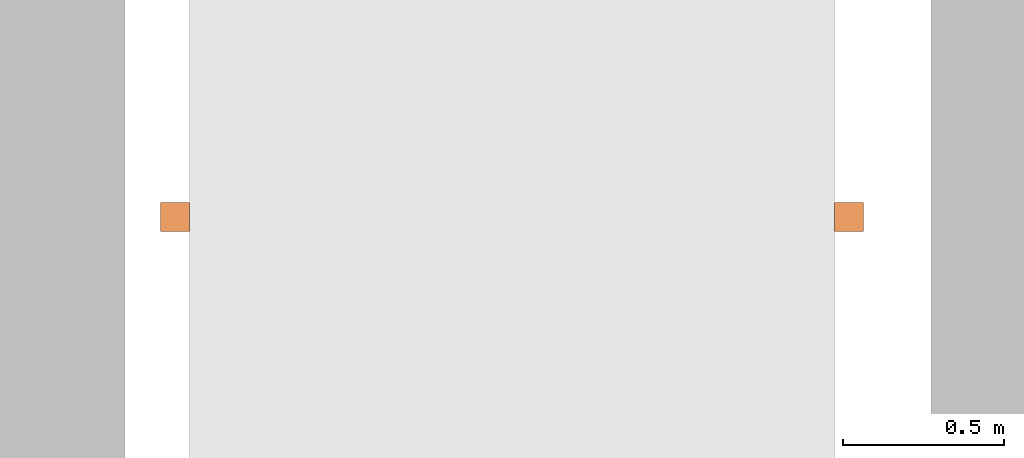
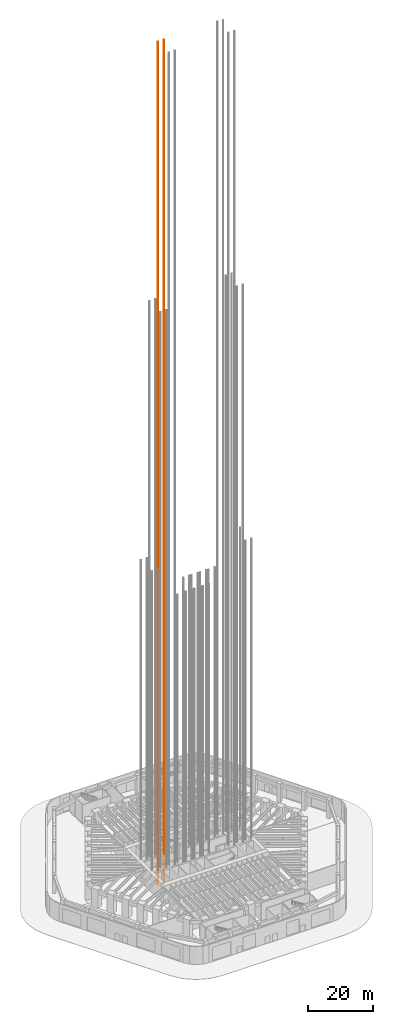
# One storey, part 20 of 23: 1 proxy.
"""IFC4 building model written with IfcOpenShell, lengths in metres."""

import ifcopenshell
import ifcopenshell.guid

model = None  # the IFC model being written
_history = None  # IfcOwnerHistory: only IFC2X3 demands one
_inside = {}  # id of a spatial element -> (the spatial element, [elements in it])
_under = {}  # id of a project, library or spatial element -> (it, [spatial elements below it])
_declared = {}  # id of a project -> (the project, [libraries it declares])
_typed = {}  # id of a type object -> (the type object, [elements of that type])
_made_of = {}  # id of a material, layer set ... -> (it, [elements and type objects made of it])


def new_model(schema):
    """Start an empty IFC model of exactly this schema.

    Asked for "IFC4X3", IfcOpenShell would pick the latest addendum, in which some entities
    have other attributes; the version numbers below select the first issue.
    IFC2X3 requires an IfcOwnerHistory on every rooted entity: one is made here for all.
    """
    global model, _history
    if schema == "IFC4X3":
        model = ifcopenshell.file(schema_version=(4, 3, 0, 0))
    else:
        model = ifcopenshell.file(schema=schema)
    _inside.clear()
    _under.clear()
    _declared.clear()
    _typed.clear()
    _made_of.clear()
    _history = None
    if model.schema == "IFC2X3":
        org = make("IfcOrganization", Name="unknown")
        user = make(
            "IfcPersonAndOrganization",
            ThePerson=make("IfcPerson", FamilyName="unknown"),
            TheOrganization=org,
        )
        app = make(
            "IfcApplication",
            ApplicationDeveloper=org,
            Version="unknown",
            ApplicationFullName="unknown",
            ApplicationIdentifier="unknown",
        )
        _history = make(
            "IfcOwnerHistory",
            OwningUser=user,
            OwningApplication=app,
            ChangeAction="ADDED",
            CreationDate=0,
        )
    return model


def make(cls, **values):
    """One entity of the class cls with the attributes given. An attribute that is None is left unset."""
    return model.create_entity(
        cls, **{name: value for name, value in values.items() if value is not None}
    )


def rooted(cls, **values):
    """An entity with a GlobalId (a new one), such as an element, a storey or a relation."""
    return make(cls, GlobalId=ifcopenshell.guid.new(), OwnerHistory=_history, **values)


def si_unit(unit_type, name, prefix=None):
    """IfcSIUnit, for example si_unit("LENGTHUNIT", "METRE", prefix="MILLI")."""
    return make("IfcSIUnit", UnitType=unit_type, Prefix=prefix, Name=name)


def assignment(units):
    """IfcUnitAssignment: the units of a project."""
    return None if units is None else make("IfcUnitAssignment", Units=units)


def point(xyz):
    """IfcCartesianPoint."""
    return None if xyz is None else make("IfcCartesianPoint", Coordinates=xyz)


def direction(xyz):
    """IfcDirection."""
    return None if xyz is None else make("IfcDirection", DirectionRatios=xyz)


def frame(location, z_axis=None, x_axis=None):
    """IfcAxis2Placement3D, a coordinate frame: its origin and axes. An axis left out is left unset."""
    return make(
        "IfcAxis2Placement3D",
        Location=point(location),
        Axis=direction(z_axis),
        RefDirection=direction(x_axis),
    )


def frame_2d(location, x_axis=None):
    """IfcAxis2Placement2D, a coordinate frame in the plane: its origin and x axis."""
    return make(
        "IfcAxis2Placement2D", Location=point(location), RefDirection=direction(x_axis)
    )


def origin():
    """The frame at (0, 0, 0) with its axes left unset."""
    return frame((0.0, 0.0, 0.0))


def origin_2d():
    """The frame at (0, 0) in the plane with its x axis left unset."""
    return frame_2d((0.0, 0.0))


def place(relative_to, where):
    """IfcLocalPlacement: puts the frame where relative to a parent placement (None: the world)."""
    return make(
        "IfcLocalPlacement", PlacementRelTo=relative_to, RelativePlacement=where
    )


def context(
    kind, dimensions, precision=None, world=None, true_north=None, identifier=None
):
    """IfcGeometricRepresentationContext, for example the 3D "Model" context."""
    return make(
        "IfcGeometricRepresentationContext",
        ContextIdentifier=identifier,
        ContextType=kind,
        CoordinateSpaceDimension=dimensions,
        Precision=precision,
        WorldCoordinateSystem=world,
        TrueNorth=true_north,
    )


def subcontext(parent, identifier, kind, view, scale=None):
    """IfcGeometricRepresentationSubContext, for example "Body" below "Model"."""
    return make(
        "IfcGeometricRepresentationSubContext",
        ContextIdentifier=identifier,
        ContextType=kind,
        ParentContext=parent,
        TargetScale=scale,
        TargetView=view,
    )


def project(units=None, contexts=None):
    """IfcProject with its units and contexts."""
    return rooted(
        "IfcProject",
        Name="project",
        RepresentationContexts=contexts,
        UnitsInContext=assignment(units),
    )


def spatial(cls, under=None, at=None, **own):
    """A site, building, storey or space (cls), placed at a placement, below another one or the project."""
    s = rooted(cls, ObjectPlacement=at, **own)
    if under is not None:
        _under.setdefault(under.id(), (under, []))[1].append(s)
    return s


def profile(cls, at=None, kind="AREA", **sizes):
    """A parametric profile (cls). Its sizes go by their IFC names, for example OverallWidth=200.0."""
    return make(cls, ProfileType=kind, Position=at, **sizes)


def rectangle(**sizes):
    """IfcRectangleProfileDef."""
    return profile("IfcRectangleProfileDef", **sizes)


def extrude(swept, where, along, depth):
    """IfcExtrudedAreaSolid: the profile swept, set in the frame where, extruded along a direction by depth."""
    return make(
        "IfcExtrudedAreaSolid",
        SweptArea=swept,
        Position=where,
        ExtrudedDirection=direction(along),
        Depth=depth,
    )


def shape(context_of_items, identifier, shape_type, items):
    """IfcShapeRepresentation: the items that make up one representation, for example the "Body"."""
    return make(
        "IfcShapeRepresentation",
        ContextOfItems=context_of_items,
        RepresentationIdentifier=identifier,
        RepresentationType=shape_type,
        Items=items,
    )


def material(Name=None, Category=None):
    """IfcMaterial."""
    return make("IfcMaterial", Name=Name, Category=Category)


def made_of(thing, what):
    """Note that an element or type object is made of a material, layer set ...; save() writes the relation."""
    if what is not None:
        _made_of.setdefault(what.id(), (what, []))[1].append(thing)
    return thing


def element(
    cls,
    number,
    at=None,
    inside=None,
    cuts=None,
    type_object=None,
    material=None,
    context=None,
    identifier="Body",
    shape_type=None,
    held_by="IfcProductDefinitionShape",
    body=None,
    shapes=None,
    **own,
):
    """One element of the class cls, such as IfcWall. Its Tag is "e" and its number.

    at: its placement. inside: the storey or other place that contains it. cuts: it is an
    opening in that element (IfcRelVoidsElement). A single representation is given by context,
    identifier, shape_type and body (its items); several are given by shapes. held_by: the class
    of the entity that holds the representations. save() writes the other relations.
    """
    e = rooted(cls, Tag="e%d" % number, ObjectPlacement=at, **own)
    if body is not None:
        shapes = [shape(context, identifier, shape_type, body)]
    if shapes is not None:
        e.Representation = make(held_by, Representations=shapes)
    if inside is not None:
        _inside.setdefault(inside.id(), (inside, []))[1].append(e)
    if cuts is not None:
        rooted(
            "IfcRelVoidsElement", RelatingBuildingElement=cuts, RelatedOpeningElement=e
        )
    if type_object is not None:
        _typed.setdefault(type_object.id(), (type_object, []))[1].append(e)
    return made_of(e, material)


def aggregate(whole, parts):
    """IfcRelAggregates: a whole, such as a stair, and the parts it consists of."""
    return rooted("IfcRelAggregates", RelatingObject=whole, RelatedObjects=parts)


def save(model, path):
    """Write the relations noted so far, then the file.

    IfcRelAggregates (storeys below a building ...), IfcRelContainedInSpatialStructure (elements
    in a storey), IfcRelDefinesByType, IfcRelAssociatesMaterial and IfcRelDeclares: one each for
    every whole, place, type object, material and project.
    """
    for whole, parts in _under.values():
        aggregate(whole, parts)
    for where, things in _inside.values():
        rooted(
            "IfcRelContainedInSpatialStructure",
            RelatedElements=things,
            RelatingStructure=where,
        )
    for kind, things in _typed.values():
        rooted("IfcRelDefinesByType", RelatedObjects=things, RelatingType=kind)
    for what, things in _made_of.values():
        rooted("IfcRelAssociatesMaterial", RelatedObjects=things, RelatingMaterial=what)
    for by, libraries in _declared.values():
        rooted("IfcRelDeclares", RelatingContext=by, RelatedDefinitions=libraries)
    model.write(path)


model = new_model("IFC4")

# Units and contexts
model_context = context("Model", 3, precision=1e-05, world=origin(), true_north=direction((0.0, 1.0)))
body_context = subcontext(model_context, "Body", "Model", "MODEL_VIEW")
ifc_project = project(units=[si_unit("LENGTHUNIT", "METRE"), si_unit("AREAUNIT", "SQUARE_METRE"), si_unit("VOLUMEUNIT", "CUBIC_METRE"), si_unit("PLANEANGLEUNIT", "RADIAN"), si_unit("MASSUNIT", "GRAM", prefix="KILO")], contexts=[model_context])

# Site, building, storey
site_placement = place(None, origin())
site = spatial("IfcSite", under=ifc_project, at=site_placement, CompositionType="ELEMENT")
building_placement = place(site_placement, origin())
building = spatial("IfcBuilding", under=site, at=building_placement, Name="Tarfa Lantern Tower", CompositionType="ELEMENT")
storey_placement = place(building_placement, origin())
storey = spatial("IfcBuildingStorey", under=building, at=storey_placement, Name="L00", CompositionType="ELEMENT", Elevation=0.0)

# Proxy
ifc_material = material(Name="Steel S355", Category="steel")
proxy_placement = place(storey_placement, frame((-11.544921875, 3.39990234375, -4.5), z_axis=(0.0, 0.0, 1.0), x_axis=(1.0, 0.0, 0.0)))
element("IfcBuildingElementProxy", 1, at=proxy_placement, inside=storey, material=ifc_material, Name="Guide rails S9", PredefinedType="NOTDEFINED", context=body_context, shape_type="SweptSolid", body=[
    extrude(rectangle(XDim=0.090087890625, YDim=0.090087890625, at=origin_2d()), origin(), (0.0, 0.0, 1.0), 315.449951171875),
    extrude(rectangle(XDim=0.090087890625, YDim=0.090087890625, at=frame_2d((2.08984375, 0.0))), origin(), (0.0, 0.0, 1.0), 315.449951171875),
])

save(model, "model.ifc")
